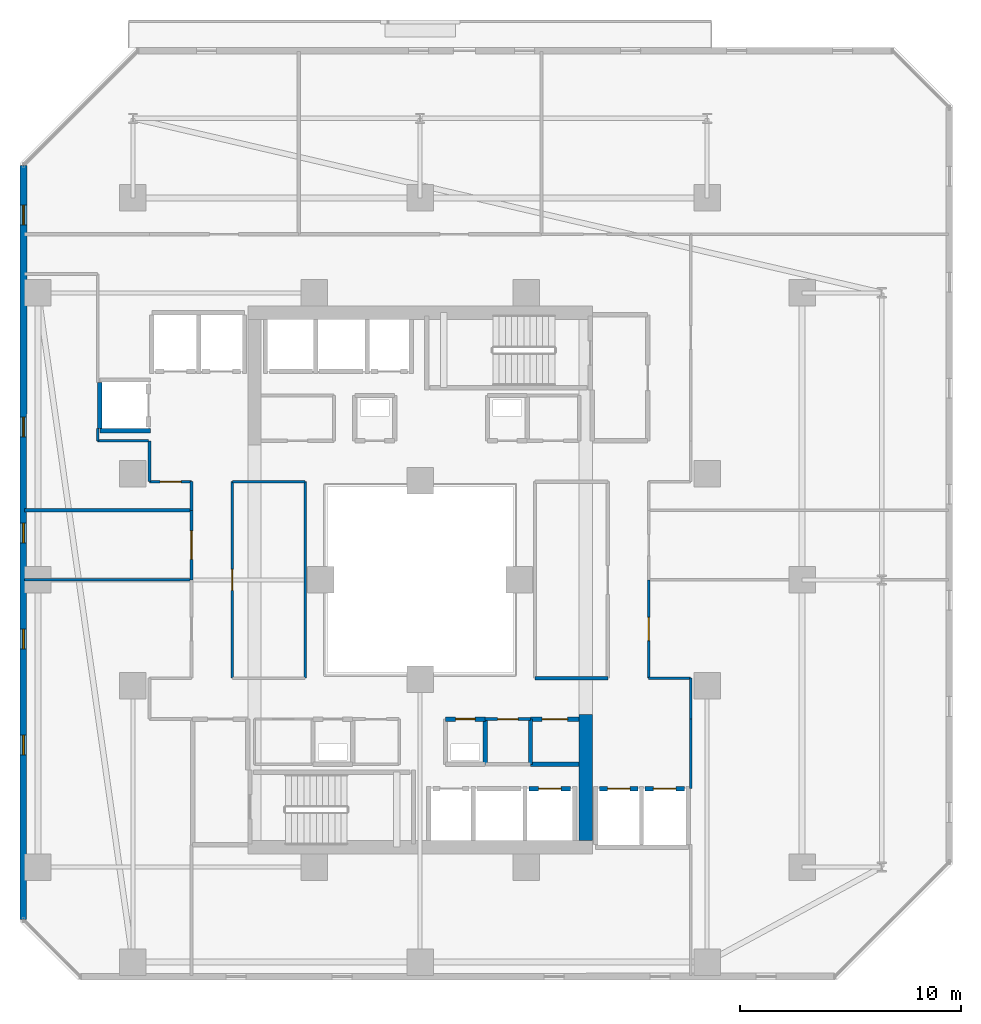
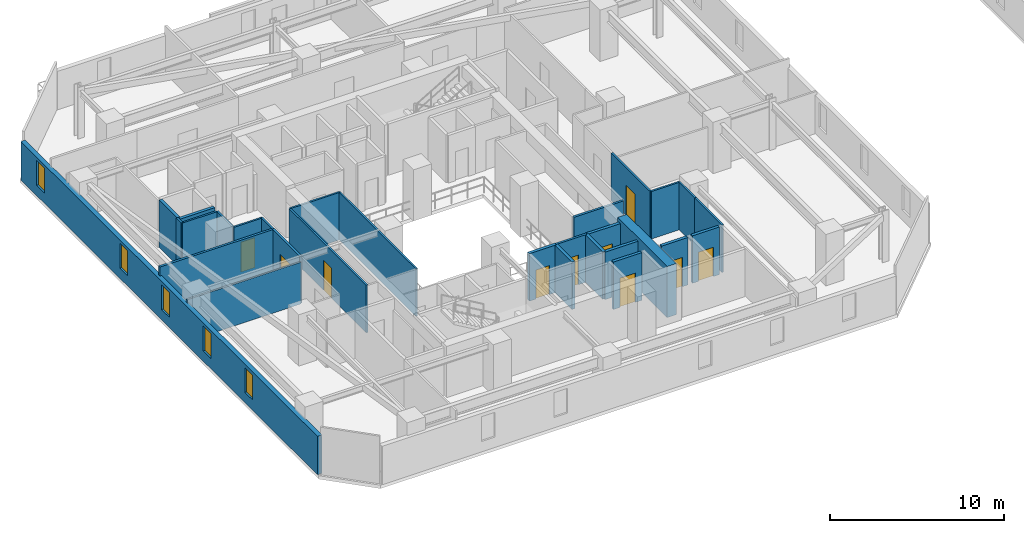
# One storey, part 17 of 31: 29 walls, 10 doors, 5 windows, 15 openings.
"""IFC4 building model written with IfcOpenShell, lengths in metres."""

from ifc_helpers import new_model, si_unit, direction, frame, frame_2d, origin, place, context, subcontext, project, spatial, rectangle, extrude, material, layer, layer_set, type_object, element, fill, save


model = new_model("IFC4")

# Units and contexts
model_context = context("Model", 3, precision=1e-05, world=origin(), true_north=direction((0.0, 1.0)))
body_context = subcontext(model_context, "Body", "Model", "MODEL_VIEW")
ifc_project = project(units=[si_unit("LENGTHUNIT", "METRE"), si_unit("AREAUNIT", "SQUARE_METRE"), si_unit("VOLUMEUNIT", "CUBIC_METRE"), si_unit("PLANEANGLEUNIT", "RADIAN"), si_unit("MASSUNIT", "GRAM", prefix="KILO")], contexts=[model_context])

# Site, building, storey
site_placement = place(None, origin())
site = spatial("IfcSite", under=ifc_project, at=site_placement, CompositionType="ELEMENT")
building_placement = place(site_placement, origin())
building = spatial("IfcBuilding", under=site, at=building_placement, Name="Thornwick Lancets Civic Towers", CompositionType="ELEMENT")
storey_placement = place(building_placement, frame((0.0, 0.0, 87.300048828125)))
storey = spatial("IfcBuildingStorey", under=building, at=storey_placement, Name="L22", CompositionType="ELEMENT", Elevation=87.300048828125)

# Wall, opening, door
ifc_material_1 = material(Name="Concrete blockwork C40/50", Category="masonry")
ifc_layer_1 = layer(ifc_material_1, 0.199951171875, Name="Concrete blockwork C40/50")
ifc_layer_set_1 = layer_set([ifc_layer_1], Name="Concrete blockwork C40/50")
wall_type_1 = type_object("IfcWallType", Name="WALL_COMP_200", PredefinedType="STANDARD", material=ifc_layer_set_1)
wall_1_placement = place(storey_placement, frame((30.429931640625, 17.550048828125, 0.0), z_axis=(0.0, 0.0, 1.0), x_axis=(1.0, 0.0, 0.0)))
wall_1 = element("IfcWall", 1, at=wall_1_placement, inside=storey, type_object=wall_type_1, Name="L22 Hoistway Front Wall PL-AL1", PredefinedType="STANDARD", context=body_context, shape_type="SweptSolid", body=[
    extrude(rectangle(XDim=1.89013671875, YDim=0.199951171875, at=frame_2d((0.945068359375, 0.0))), origin(), (0.0, 0.0, 1.0), 3.33984375),
])
opening_1_placement = place(wall_1_placement, frame((0.43505859375, 0.0, 0.0)))
opening_1 = element("IfcOpeningElement", 2, at=opening_1_placement, cuts=wall_1, Name="Opening LD-PL-AL1", PredefinedType="OPENING", context=body_context, shape_type="SweptSolid", body=[
    extrude(rectangle(XDim=1.02001953125, YDim=2.06005859375, at=frame_2d((0.510009765625, 1.030029296875))), frame((0.0, 0.10986328125, 0.0), z_axis=(0.0, -1.0, 0.0), x_axis=(1.0, 0.0, 0.0)), (0.0, 0.0, 1.0), 0.219970703125),
])
ifc_material_2 = material(Name="Brushed bronze stainless steel", Category="steel")
door_type_1 = type_object("IfcDoorType", Name="DOOR_LIFT_SLIDE", OperationType="SLIDING_TO_LEFT", PredefinedType="DOOR", material=ifc_material_2)
door_1_placement = place(opening_1_placement, origin())
door_1 = element("IfcDoor", 3, at=door_1_placement, inside=storey, type_object=door_type_1, Name="L22 Sliding Lift Landing Door LD-PL-AL1", OperationType="SLIDING_TO_LEFT", OverallHeight=2.06005859375, OverallWidth=1.02001953125, PredefinedType="DOOR", context=body_context, shape_type="SweptSolid", body=[
    extrude(rectangle(XDim=1.02001953125, YDim=2.06005859375, at=frame_2d((0.510009765625, 1.030029296875))), frame((0.0, 0.02490234375, 0.0), z_axis=(0.0, -1.0, 0.0), x_axis=(1.0, 0.0, 0.0)), (0.0, 0.0, 1.0), 0.050048828125),
])
fill(opening_1, door_1)

wall_2_placement = place(storey_placement, frame((33.6298828125, 17.550048828125, 0.0), z_axis=(0.0, 0.0, 1.0), x_axis=(1.0, 0.0, 0.0)))
wall_2 = element("IfcWall", 4, at=wall_2_placement, inside=storey, type_object=wall_type_1, Name="L22 Hoistway Front Wall PL-AL2", PredefinedType="STANDARD", context=body_context, shape_type="SweptSolid", body=[
    extrude(rectangle(XDim=1.740234375, YDim=0.199951171875, at=frame_2d((0.8701171875, 0.0))), origin(), (0.0, 0.0, 1.0), 3.33984375),
])
opening_2_placement = place(wall_2_placement, frame((0.360107421875, 0.0, 0.0)))
opening_2 = element("IfcOpeningElement", 5, at=opening_2_placement, cuts=wall_2, Name="Opening LD-PL-AL2", PredefinedType="OPENING", context=body_context, shape_type="SweptSolid", body=[
    extrude(rectangle(XDim=1.02001953125, YDim=2.06005859375, at=frame_2d((0.510009765625, 1.030029296875))), frame((0.0, 0.10986328125, 0.0), z_axis=(0.0, -1.0, 0.0), x_axis=(1.0, 0.0, 0.0)), (0.0, 0.0, 1.0), 0.219970703125),
])
door_2_placement = place(opening_2_placement, origin())
door_2 = element("IfcDoor", 6, at=door_2_placement, inside=storey, type_object=door_type_1, Name="L22 Sliding Lift Landing Door LD-PL-AL2", OperationType="SLIDING_TO_LEFT", OverallHeight=2.06005859375, OverallWidth=1.02001953125, PredefinedType="DOOR", context=body_context, shape_type="SweptSolid", body=[
    extrude(rectangle(XDim=1.02001953125, YDim=2.06005859375, at=frame_2d((0.510009765625, 1.030029296875))), frame((0.0, 0.02490234375, 0.0), z_axis=(0.0, -1.0, 0.0), x_axis=(1.0, 0.0, 0.0)), (0.0, 0.0, 1.0), 0.050048828125),
])
fill(opening_2, door_2)

wall_3_placement = place(storey_placement, frame((35.679931640625, 17.550048828125, 0.0), z_axis=(0.0, 0.0, 1.0), x_axis=(1.0, 0.0, 0.0)))
wall_3 = element("IfcWall", 7, at=wall_3_placement, inside=storey, type_object=wall_type_1, Name="L22 Hoistway Front Wall PL-AL3", PredefinedType="STANDARD", context=body_context, shape_type="SweptSolid", body=[
    extrude(rectangle(XDim=1.7900390625, YDim=0.199951171875, at=frame_2d((0.89501953125, 0.0))), origin(), (0.0, 0.0, 1.0), 3.33984375),
])
opening_3_placement = place(wall_3_placement, frame((0.385009765625, 0.0, 0.0)))
opening_3 = element("IfcOpeningElement", 8, at=opening_3_placement, cuts=wall_3, Name="Opening LD-PL-AL3", PredefinedType="OPENING", context=body_context, shape_type="SweptSolid", body=[
    extrude(rectangle(XDim=1.02001953125, YDim=2.06005859375, at=frame_2d((0.510009765625, 1.030029296875))), frame((0.0, 0.10986328125, 0.0), z_axis=(0.0, -1.0, 0.0), x_axis=(1.0, 0.0, 0.0)), (0.0, 0.0, 1.0), 0.219970703125),
])
door_3_placement = place(opening_3_placement, origin())
door_3 = element("IfcDoor", 9, at=door_3_placement, inside=storey, type_object=door_type_1, Name="L22 Sliding Lift Landing Door LD-PL-AL3", OperationType="SLIDING_TO_LEFT", OverallHeight=2.06005859375, OverallWidth=1.02001953125, PredefinedType="DOOR", context=body_context, shape_type="SweptSolid", body=[
    extrude(rectangle(XDim=1.02001953125, YDim=2.06005859375, at=frame_2d((0.510009765625, 1.030029296875))), frame((0.0, 0.02490234375, 0.0), z_axis=(0.0, -1.0, 0.0), x_axis=(1.0, 0.0, 0.0)), (0.0, 0.0, 1.0), 0.050048828125),
])
fill(opening_3, door_3)

# Walls
wall_4_placement = place(storey_placement, frame((11.001953125, 33.75, 0.0), z_axis=(0.0, 0.0, 1.0), x_axis=(1.0, 0.0, 0.0)))
element("IfcWall", 10, at=wall_4_placement, inside=storey, type_object=wall_type_1, Name="L22 Hoistway Shaft Wall PL-AM3 S", PredefinedType="STANDARD", context=body_context, shape_type="SweptSolid", body=[
    extrude(rectangle(XDim=2.296142578125, YDim=0.199951171875, at=frame_2d((1.14794921875, 0.0))), origin(), (0.0, 0.0, 1.0), 3.33984375),
])
wall_5_placement = place(storey_placement, frame((11.0, 33.862060546875, 0.0), z_axis=(0.0, 0.0, 1.0), x_axis=(0.0, 1.0, 0.0)))
element("IfcWall", 11, at=wall_5_placement, inside=storey, type_object=wall_type_1, Name="L22 Hoistway Shaft Wall PL-AM3 W", PredefinedType="STANDARD", context=body_context, shape_type="SweptSolid", body=[
    extrude(rectangle(XDim=2.075927734375, YDim=0.199951171875, at=frame_2d((1.0380859375, 0.0))), origin(), (0.0, 0.0, 1.0), 3.33984375),
])
wall_6_placement = place(storey_placement, frame((28.449951171875, 18.64990234375, 0.0), z_axis=(0.0, 0.0, 1.0), x_axis=(0.0, 1.0, 0.0)))
element("IfcWall", 12, at=wall_6_placement, inside=storey, type_object=wall_type_1, Name="L22 Partition L22-A-DUCT1 E2", PredefinedType="STANDARD", context=body_context, shape_type="SweptSolid", body=[
    extrude(rectangle(XDim=2.050048828125, YDim=0.199951171875, at=frame_2d((1.02490234375, 0.0))), origin(), (0.0, 0.0, 1.0), 3.33984375),
])

# Wall, opening, door
wall_7_placement = place(storey_placement, frame((28.449951171875, 20.699951171875, 0.0), z_axis=(0.0, 0.0, 1.0), x_axis=(-1.0, 0.0, 0.0)))
wall_7 = element("IfcWall", 13, at=wall_7_placement, inside=storey, type_object=wall_type_1, Name="L22 Partition L22-A-DUCT1 E3", PredefinedType="STANDARD", context=body_context, shape_type="SweptSolid", body=[
    extrude(rectangle(XDim=1.800048828125, YDim=0.199951171875, at=frame_2d((0.89990234375, 0.0))), origin(), (0.0, 0.0, 1.0), 3.33984375),
])
opening_4_placement = place(wall_7_placement, frame((0.4599609375, 0.0, 0.0)))
opening_4 = element("IfcOpeningElement", 14, at=opening_4_placement, cuts=wall_7, Name="Opening D-L22-1009", PredefinedType="OPENING", context=body_context, shape_type="SweptSolid", body=[
    extrude(rectangle(XDim=0.8798828125, YDim=2.0400390625, at=frame_2d((0.43994140625, 1.02001953125))), frame((0.0, 0.10986328125, 0.0), z_axis=(0.0, -1.0, 0.0), x_axis=(1.0, 0.0, 0.0)), (0.0, 0.0, 1.0), 0.219970703125),
])
ifc_material_3 = material(Name="Steel riser access doorset", Category="steel")
door_type_2 = type_object("IfcDoorType", Name="DOOR_RISER_850", OperationType="NOTDEFINED", PredefinedType="DOOR", material=ifc_material_3)
door_4_placement = place(opening_4_placement, origin())
door_4 = element("IfcDoor", 15, at=door_4_placement, inside=storey, type_object=door_type_2, Name="L22 South Service Duct 1 Door", OperationType="SINGLE_SWING_RIGHT", OverallHeight=2.0400390625, OverallWidth=0.8798828125, PredefinedType="DOOR", context=body_context, shape_type="SweptSolid", body=[
    extrude(rectangle(XDim=0.8798828125, YDim=2.0400390625, at=frame_2d((0.43994140625, 1.02001953125))), frame((0.0, 0.02490234375, 0.0), z_axis=(0.0, -1.0, 0.0), x_axis=(1.0, 0.0, 0.0)), (0.0, 0.0, 1.0), 0.050048828125),
])
fill(opening_4, door_4)

# Walls
wall_8_placement = place(storey_placement, frame((32.699951171875, 18.64990234375, 0.0), z_axis=(0.0, 0.0, 1.0), x_axis=(-1.0, 0.0, 0.0)))
element("IfcWall", 16, at=wall_8_placement, inside=storey, type_object=wall_type_1, Name="L22 Partition L22-A-STR2 E2", PredefinedType="STANDARD", context=body_context, shape_type="SweptSolid", body=[
    extrude(rectangle(XDim=2.199951171875, YDim=0.199951171875, at=frame_2d((1.10009765625, 0.0))), origin(), (0.0, 0.0, 1.0), 3.33984375),
])
wall_9_placement = place(storey_placement, frame((30.5, 18.64990234375, 0.0), z_axis=(0.0, 0.0, 1.0), x_axis=(0.0, 1.0, 0.0)))
element("IfcWall", 17, at=wall_9_placement, inside=storey, type_object=wall_type_1, Name="L22 Partition L22-A-STR2 E3", PredefinedType="STANDARD", context=body_context, shape_type="SweptSolid", body=[
    extrude(rectangle(XDim=2.050048828125, YDim=0.199951171875, at=frame_2d((1.02490234375, 0.0))), origin(), (0.0, 0.0, 1.0), 3.33984375),
])

# Wall, opening, door
wall_10_placement = place(storey_placement, frame((30.5, 20.699951171875, 0.0), z_axis=(0.0, 0.0, 1.0), x_axis=(1.0, 0.0, 0.0)))
wall_10 = element("IfcWall", 18, at=wall_10_placement, inside=storey, type_object=wall_type_1, Name="L22 Partition L22-A-STR2 E4", PredefinedType="STANDARD", context=body_context, shape_type="SweptSolid", body=[
    extrude(rectangle(XDim=2.199951171875, YDim=0.199951171875, at=frame_2d((1.10009765625, 0.0))), origin(), (0.0, 0.0, 1.0), 3.33984375),
])
opening_5_placement = place(wall_10_placement, frame((0.52490234375, 0.0, 0.0)))
opening_5 = element("IfcOpeningElement", 19, at=opening_5_placement, cuts=wall_10, Name="Opening D-L22-1016", PredefinedType="OPENING", context=body_context, shape_type="SweptSolid", body=[
    extrude(rectangle(XDim=1.14990234375, YDim=2.10009765625, at=frame_2d((0.574951171875, 1.050048828125))), frame((0.0, 0.10986328125, 0.0), z_axis=(0.0, -1.0, 0.0), x_axis=(1.0, 0.0, 0.0)), (0.0, 0.0, 1.0), 0.219970703125),
])
ifc_material_4 = material(Name="Glazed fire-resisting steel", Category="steel")
door_type_3 = type_object("IfcDoorType", Name="DOOR_LOBBY_FD60", OperationType="NOTDEFINED", PredefinedType="DOOR", material=ifc_material_4)
door_5_placement = place(opening_5_placement, origin())
door_5 = element("IfcDoor", 20, at=door_5_placement, inside=storey, type_object=door_type_3, Name="L22 Tower A Core Supplies Store Door", OperationType="SINGLE_SWING_LEFT", OverallHeight=2.10009765625, OverallWidth=1.14990234375, PredefinedType="DOOR", context=body_context, shape_type="SweptSolid", body=[
    extrude(rectangle(XDim=1.14990234375, YDim=2.10009765625, at=frame_2d((0.574951171875, 1.050048828125))), frame((0.0, 0.02490234375, 0.0), z_axis=(0.0, -1.0, 0.0), x_axis=(1.0, 0.0, 0.0)), (0.0, 0.0, 1.0), 0.050048828125),
])
fill(opening_5, door_5)

# Wall
ifc_material_5 = material(Name="Concrete C60/75", Category="concrete")
ifc_layer_2 = layer(ifc_material_5, 0.60009765625, Name="Concrete C60/75")
ifc_layer_set_2 = layer_set([ifc_layer_2], Name="Concrete C60/75")
wall_type_2 = type_object("IfcWallType", Name="WALL_CORE_600", PredefinedType="SHEAR", material=ifc_layer_set_2)
wall_11_placement = place(storey_placement, frame((33.0, 15.199951171875, 0.0), z_axis=(0.0, 0.0, 1.0), x_axis=(0.0, 1.0, 0.0)))
element("IfcWall", 21, at=wall_11_placement, inside=storey, type_object=wall_type_2, Name="L22 Split Core A1 Shear Wall E", PredefinedType="SHEAR", context=body_context, shape_type="SweptSolid", body=[
    extrude(rectangle(XDim=5.699951171875, YDim=0.60009765625, at=frame_2d((2.85009765625, 0.0))), origin(), (0.0, 0.0, 1.0), 3.599853515625),
])

# Wall, openings, windows
ifc_material_6 = material(Name="Insulated russet terracotta rainscreen on concrete C40/50", Category="masonry")
ifc_layer_3 = layer(ifc_material_6, 0.300048828125, Name="Insulated russet terracotta rainscreen on concrete C40/50")
ifc_layer_set_3 = layer_set([ifc_layer_3], Name="Insulated russet terracotta rainscreen on concrete C40/50")
wall_type_3 = type_object("IfcWallType", Name="WALL_EXT_RUSSET_300", PredefinedType="STANDARD", material=ifc_layer_set_3)
wall_12_placement = place(storey_placement, frame((7.543701171875, 45.773681640625, 0.0), z_axis=(0.0, 0.0, 1.0), x_axis=(-0.000243032466, -0.999999970468, 0.0)))
wall_12 = element("IfcWall", 22, at=wall_12_placement, inside=storey, type_object=wall_type_3, Name="L22 Tower A Terracotta Facade Wall E6", PredefinedType="STANDARD", context=body_context, shape_type="SweptSolid", body=[
    extrude(rectangle(XDim=34.155029296875, YDim=0.300048828125, at=frame_2d((17.07763671875, 0.0))), origin(), (0.0, 0.0, 1.0), 2.699951171875),
])
opening_6_placement = place(wall_12_placement, frame((1.800048828125, 0.0, 0.719970703125)))
opening_6 = element("IfcOpeningElement", 23, at=opening_6_placement, cuts=wall_12, Name="Opening WL-01", PredefinedType="OPENING", context=body_context, shape_type="SweptSolid", body=[
    extrude(rectangle(XDim=0.89990234375, YDim=1.75, at=frame_2d((0.449951171875, 0.875))), frame((0.0, 0.16015625, 0.0), z_axis=(0.0, -1.0, 0.0), x_axis=(1.0, 0.0, 0.0)), (0.0, 0.0, 1.0), 0.320068359375),
])
opening_7_placement = place(wall_12_placement, frame((11.39990234375, 0.0, 0.719970703125)))
opening_7 = element("IfcOpeningElement", 24, at=opening_7_placement, cuts=wall_12, Name="Opening WL-01", PredefinedType="OPENING", context=body_context, shape_type="SweptSolid", body=[
    extrude(rectangle(XDim=0.89990234375, YDim=1.75, at=frame_2d((0.449951171875, 0.875))), frame((0.0, 0.16015625, 0.0), z_axis=(0.0, -1.0, 0.0), x_axis=(1.0, 0.0, 0.0)), (0.0, 0.0, 1.0), 0.320068359375),
])
opening_8_placement = place(wall_12_placement, frame((16.199951171875, 0.0, 0.719970703125)))
opening_8 = element("IfcOpeningElement", 25, at=opening_8_placement, cuts=wall_12, Name="Opening WL-01", PredefinedType="OPENING", context=body_context, shape_type="SweptSolid", body=[
    extrude(rectangle(XDim=0.89990234375, YDim=1.75, at=frame_2d((0.449951171875, 0.875))), frame((0.0, 0.16015625, 0.0), z_axis=(0.0, -1.0, 0.0), x_axis=(1.0, 0.0, 0.0)), (0.0, 0.0, 1.0), 0.320068359375),
])
opening_9_placement = place(wall_12_placement, frame((21.0, 0.0, 0.719970703125)))
opening_9 = element("IfcOpeningElement", 26, at=opening_9_placement, cuts=wall_12, Name="Opening WL-01", PredefinedType="OPENING", context=body_context, shape_type="SweptSolid", body=[
    extrude(rectangle(XDim=0.89990234375, YDim=1.75, at=frame_2d((0.449951171875, 0.875))), frame((0.0, 0.16015625, 0.0), z_axis=(0.0, -1.0, 0.0), x_axis=(1.0, 0.0, 0.0)), (0.0, 0.0, 1.0), 0.320068359375),
])
opening_10_placement = place(wall_12_placement, frame((25.800048828125, 0.0, 0.719970703125)))
opening_10 = element("IfcOpeningElement", 27, at=opening_10_placement, cuts=wall_12, Name="Opening WL-01", PredefinedType="OPENING", context=body_context, shape_type="SweptSolid", body=[
    extrude(rectangle(XDim=0.89990234375, YDim=1.75, at=frame_2d((0.449951171875, 0.875))), frame((0.0, 0.16015625, 0.0), z_axis=(0.0, -1.0, 0.0), x_axis=(1.0, 0.0, 0.0)), (0.0, 0.0, 1.0), 0.320068359375),
])
ifc_material_7 = material(Name="Clear low-e double glazing in bronze frame", Category="glass")
window_type = type_object("IfcWindowType", Name="WIN_LANCET_900", PartitioningType="SINGLE_PANEL", PredefinedType="WINDOW", material=ifc_material_7)
window_1_placement = place(opening_6_placement, origin())
window_1 = element("IfcWindow", 28, at=window_1_placement, inside=storey, type_object=window_type, Name="L22 Tower A Staggered Lancet Window E6-1", OverallHeight=1.75, OverallWidth=0.89990234375, PartitioningType="SINGLE_PANEL", PredefinedType="WINDOW", context=body_context, shape_type="SweptSolid", body=[
    extrude(rectangle(XDim=0.89990234375, YDim=1.75, at=frame_2d((0.449951171875, 0.875))), frame((0.0, 0.030029296875, 0.0), z_axis=(0.0, -1.0, 0.0), x_axis=(1.0, 0.0, 0.0)), (0.0, 0.0, 1.0), 0.06005859375),
])
fill(opening_6, window_1)
window_2_placement = place(opening_7_placement, origin())
window_2 = element("IfcWindow", 29, at=window_2_placement, inside=storey, type_object=window_type, Name="L22 Tower A Staggered Lancet Window E6-2", OverallHeight=1.75, OverallWidth=0.89990234375, PartitioningType="SINGLE_PANEL", PredefinedType="WINDOW", context=body_context, shape_type="SweptSolid", body=[
    extrude(rectangle(XDim=0.89990234375, YDim=1.75, at=frame_2d((0.449951171875, 0.875))), frame((0.0, 0.030029296875, 0.0), z_axis=(0.0, -1.0, 0.0), x_axis=(1.0, 0.0, 0.0)), (0.0, 0.0, 1.0), 0.06005859375),
])
fill(opening_7, window_2)
window_3_placement = place(opening_8_placement, origin())
window_3 = element("IfcWindow", 30, at=window_3_placement, inside=storey, type_object=window_type, Name="L22 Tower A Staggered Lancet Window E6-3", OverallHeight=1.75, OverallWidth=0.89990234375, PartitioningType="SINGLE_PANEL", PredefinedType="WINDOW", context=body_context, shape_type="SweptSolid", body=[
    extrude(rectangle(XDim=0.89990234375, YDim=1.75, at=frame_2d((0.449951171875, 0.875))), frame((0.0, 0.030029296875, 0.0), z_axis=(0.0, -1.0, 0.0), x_axis=(1.0, 0.0, 0.0)), (0.0, 0.0, 1.0), 0.06005859375),
])
fill(opening_8, window_3)
window_4_placement = place(opening_9_placement, origin())
window_4 = element("IfcWindow", 31, at=window_4_placement, inside=storey, type_object=window_type, Name="L22 Tower A Staggered Lancet Window E6-4", OverallHeight=1.75, OverallWidth=0.89990234375, PartitioningType="SINGLE_PANEL", PredefinedType="WINDOW", context=body_context, shape_type="SweptSolid", body=[
    extrude(rectangle(XDim=0.89990234375, YDim=1.75, at=frame_2d((0.449951171875, 0.875))), frame((0.0, 0.030029296875, 0.0), z_axis=(0.0, -1.0, 0.0), x_axis=(1.0, 0.0, 0.0)), (0.0, 0.0, 1.0), 0.06005859375),
])
fill(opening_9, window_4)
window_5_placement = place(opening_10_placement, origin())
window_5 = element("IfcWindow", 32, at=window_5_placement, inside=storey, type_object=window_type, Name="L22 Tower A Staggered Lancet Window E6-5", OverallHeight=1.75, OverallWidth=0.89990234375, PartitioningType="SINGLE_PANEL", PredefinedType="WINDOW", context=body_context, shape_type="SweptSolid", body=[
    extrude(rectangle(XDim=0.89990234375, YDim=1.75, at=frame_2d((0.449951171875, 0.875))), frame((0.0, 0.030029296875, 0.0), z_axis=(0.0, -1.0, 0.0), x_axis=(1.0, 0.0, 0.0)), (0.0, 0.0, 1.0), 0.06005859375),
])
fill(opening_10, window_5)

# Walls
ifc_material_8 = material(Name="Acoustic gypsum board partition")
ifc_layer_4 = layer(ifc_material_8, 0.1201171875, Name="Acoustic gypsum board partition")
ifc_layer_set_4 = layer_set([ifc_layer_4], Name="Acoustic gypsum board partition")
wall_type_4 = type_object("IfcWallType", Name="WALL_PART_120", PredefinedType="PARTITIONING", material=ifc_layer_set_4)
wall_13_placement = place(storey_placement, frame((7.580078125, 27.0, 0.0), z_axis=(0.0, 0.0, 1.0), x_axis=(1.0, 0.0, 0.0)))
element("IfcWall", 33, at=wall_13_placement, inside=storey, type_object=wall_type_4, Name="L22 Partition L22-A-W1 E2", PredefinedType="PARTITIONING", context=body_context, shape_type="SweptSolid", body=[
    extrude(rectangle(XDim=7.56982421875, YDim=0.1201171875, at=frame_2d((3.784912109375, 0.0))), origin(), (0.0, 0.0, 1.0), 2.93212890625),
])
wall_14_placement = place(storey_placement, frame((10.89990234375, 33.300048828125, 0.0), z_axis=(0.0, 0.0, 1.0), x_axis=(1.0, 0.0, 0.0)))
element("IfcWall", 34, at=wall_14_placement, inside=storey, type_object=wall_type_4, Name="L22 Partition L22-A-W3 E1", PredefinedType="PARTITIONING", context=body_context, shape_type="SweptSolid", body=[
    extrude(rectangle(XDim=2.300048828125, YDim=0.1201171875, at=frame_2d((1.14990234375, 0.0))), origin(), (0.0, 0.0, 1.0), 3.33984375),
])
wall_15_placement = place(storey_placement, frame((13.25, 33.300048828125, 0.0), z_axis=(0.0, 0.0, 1.0), x_axis=(0.0, -1.0, 0.0)))
element("IfcWall", 35, at=wall_15_placement, inside=storey, type_object=wall_type_4, Name="L22 Partition L22-A-W3 E3", PredefinedType="PARTITIONING", context=body_context, shape_type="SweptSolid", body=[
    extrude(rectangle(XDim=1.85009765625, YDim=0.1201171875, at=frame_2d((0.925048828125, 0.0))), origin(), (0.0, 0.0, 1.0), 3.33984375),
])

# Wall, opening, door
wall_16_placement = place(storey_placement, frame((13.25, 31.449951171875, 0.0), z_axis=(0.0, 0.0, 1.0), x_axis=(1.0, 0.0, 0.0)))
wall_16 = element("IfcWall", 36, at=wall_16_placement, inside=storey, type_object=wall_type_4, Name="L22 Partition L22-A-W3 E4", PredefinedType="PARTITIONING", context=body_context, shape_type="SweptSolid", body=[
    extrude(rectangle(XDim=1.89990234375, YDim=0.1201171875, at=frame_2d((0.949951171875, 0.0))), origin(), (0.0, 0.0, 1.0), 3.33984375),
])
opening_11_placement = place(wall_16_placement, frame((0.47509765625, 0.0, 0.0)))
opening_11 = element("IfcOpeningElement", 37, at=opening_11_placement, cuts=wall_16, Name="Opening D-L22-1033", PredefinedType="OPENING", context=body_context, shape_type="SweptSolid", body=[
    extrude(rectangle(XDim=0.949951171875, YDim=2.10009765625, at=frame_2d((0.47509765625, 1.050048828125))), frame((0.0, 0.070068359375, 0.0), z_axis=(0.0, -1.0, 0.0), x_axis=(1.0, 0.0, 0.0)), (0.0, 0.0, 1.0), 0.14013671875),
])
ifc_material_9 = material(Name="European oak acoustic doorset")
door_type_4 = type_object("IfcDoorType", Name="DOOR_OFFICE_950", OperationType="NOTDEFINED", PredefinedType="DOOR", material=ifc_material_9)
door_6_placement = place(opening_11_placement, origin())
door_6 = element("IfcDoor", 38, at=door_6_placement, inside=storey, type_object=door_type_4, Name="L22 Tower A Staff Tea Pantry and Lounge Door", OperationType="SINGLE_SWING_RIGHT", OverallHeight=2.10009765625, OverallWidth=0.949951171875, PredefinedType="DOOR", context=body_context, shape_type="SweptSolid", body=[
    extrude(rectangle(XDim=0.949951171875, YDim=2.10009765625, at=frame_2d((0.47509765625, 1.050048828125))), frame((0.0, 0.02490234375, 0.0), z_axis=(0.0, -1.0, 0.0), x_axis=(1.0, 0.0, 0.0)), (0.0, 0.0, 1.0), 0.050048828125),
])
fill(opening_11, door_6)

# Walls
wall_17_placement = place(storey_placement, frame((15.14990234375, 31.449951171875, 0.0), z_axis=(0.0, 0.0, 1.0), x_axis=(0.0, -1.0, 0.0)))
element("IfcWall", 39, at=wall_17_placement, inside=storey, type_object=wall_type_4, Name="L22 Partition L22-A-W3 E5", PredefinedType="PARTITIONING", context=body_context, shape_type="SweptSolid", body=[
    extrude(rectangle(XDim=1.300048828125, YDim=0.1201171875, at=frame_2d((0.64990234375, 0.0))), origin(), (0.0, 0.0, 1.0), 3.33984375),
])
wall_18_placement = place(storey_placement, frame((10.89990234375, 33.862060546875, 0.0), z_axis=(0.0, 0.0, 1.0), x_axis=(0.0, -1.0, 0.0)))
element("IfcWall", 40, at=wall_18_placement, inside=storey, type_object=wall_type_4, Name="L22 Partition L22-A-W3 E9", PredefinedType="PARTITIONING", context=body_context, shape_type="SweptSolid", body=[
    extrude(rectangle(XDim=0.56201171875, YDim=0.1201171875, at=frame_2d((0.281005859375, 0.0))), origin(), (0.0, 0.0, 1.0), 3.33984375),
])
wall_19_placement = place(storey_placement, frame((37.75, 17.550048828125, 0.0), z_axis=(0.0, 0.0, 1.0), x_axis=(0.0, 1.0, 0.0)))
element("IfcWall", 41, at=wall_19_placement, inside=storey, type_object=wall_type_4, Name="L22 Partition L22-A-E1 E1", PredefinedType="PARTITIONING", context=body_context, shape_type="SweptSolid", body=[
    extrude(rectangle(XDim=3.14990234375, YDim=0.1201171875, at=frame_2d((1.574951171875, 0.0))), origin(), (0.0, 0.0, 1.0), 3.33984375),
])
wall_20_placement = place(storey_placement, frame((37.75, 20.699951171875, 0.0), z_axis=(0.0, 0.0, 1.0), x_axis=(0.0, 1.0, 0.0)))
element("IfcWall", 42, at=wall_20_placement, inside=storey, type_object=wall_type_4, Name="L22 Partition L22-A-E1 E2", PredefinedType="PARTITIONING", context=body_context, shape_type="SweptSolid", body=[
    extrude(rectangle(XDim=1.85009765625, YDim=0.1201171875, at=frame_2d((0.925048828125, 0.0))), origin(), (0.0, 0.0, 1.0), 3.33984375),
])
wall_21_placement = place(storey_placement, frame((37.75, 22.550048828125, 0.0), z_axis=(0.0, 0.0, 1.0), x_axis=(-1.0, 0.0, 0.0)))
element("IfcWall", 43, at=wall_21_placement, inside=storey, type_object=wall_type_4, Name="L22 Partition L22-A-E1 E3", PredefinedType="PARTITIONING", context=body_context, shape_type="SweptSolid", body=[
    extrude(rectangle(XDim=1.89990234375, YDim=0.1201171875, at=frame_2d((0.949951171875, 0.0))), origin(), (0.0, 0.0, 1.0), 3.33984375),
])

# Wall, opening, door
wall_22_placement = place(storey_placement, frame((35.85009765625, 22.550048828125, 0.0), z_axis=(0.0, 0.0, 1.0), x_axis=(0.0, 1.0, 0.0)))
wall_22 = element("IfcWall", 44, at=wall_22_placement, inside=storey, type_object=wall_type_4, Name="L22 Partition L22-A-E1 E4", PredefinedType="PARTITIONING", context=body_context, shape_type="SweptSolid", body=[
    extrude(rectangle(XDim=4.449951171875, YDim=0.1201171875, at=frame_2d((2.22509765625, 0.0))), origin(), (0.0, 0.0, 1.0), 3.33984375),
])
opening_12_placement = place(wall_22_placement, frame((1.699951171875, 0.0, 0.0)))
opening_12 = element("IfcOpeningElement", 45, at=opening_12_placement, cuts=wall_22, Name="Opening D-L22-1034", PredefinedType="OPENING", context=body_context, shape_type="SweptSolid", body=[
    extrude(rectangle(XDim=1.050048828125, YDim=2.10009765625, at=frame_2d((0.52490234375, 1.050048828125))), frame((0.0, 0.070068359375, 0.0), z_axis=(0.0, -1.0, 0.0), x_axis=(1.0, 0.0, 0.0)), (0.0, 0.0, 1.0), 0.14013671875),
])
ifc_material_10 = material(Name="Glazed European oak executive doorset")
door_type_5 = type_object("IfcDoorType", Name="DOOR_OFFICE_1050", OperationType="NOTDEFINED", PredefinedType="DOOR", material=ifc_material_10)
door_7_placement = place(opening_12_placement, origin())
door_7 = element("IfcDoor", 46, at=door_7_placement, inside=storey, type_object=door_type_5, Name="L22 Tower A Secretariat Open Office E1 Door", OperationType="SINGLE_SWING_LEFT", OverallHeight=2.10009765625, OverallWidth=1.050048828125, PredefinedType="DOOR", context=body_context, shape_type="SweptSolid", body=[
    extrude(rectangle(XDim=1.050048828125, YDim=2.10009765625, at=frame_2d((0.52490234375, 1.050048828125))), frame((0.0, 0.02490234375, 0.0), z_axis=(0.0, -1.0, 0.0), x_axis=(1.0, 0.0, 0.0)), (0.0, 0.0, 1.0), 0.050048828125),
])
fill(opening_12, door_7)

wall_23_placement = place(storey_placement, frame((17.0, 22.550048828125, 0.0), z_axis=(0.0, 0.0, 1.0), x_axis=(0.0, 1.0, 0.0)))
wall_23 = element("IfcWall", 47, at=wall_23_placement, inside=storey, type_object=wall_type_4, Name="L22 Partition L22-A-ATR-W E1", PredefinedType="PARTITIONING", context=body_context, shape_type="SweptSolid", body=[
    extrude(rectangle(XDim=8.89990234375, YDim=0.1201171875, at=frame_2d((4.449951171875, 0.0))), origin(), (0.0, 0.0, 1.0), 3.33984375),
])
opening_13_placement = place(wall_23_placement, frame((3.97509765625, 0.0, 0.0)))
opening_13 = element("IfcOpeningElement", 48, at=opening_13_placement, cuts=wall_23, Name="Opening D-L22-1038", PredefinedType="OPENING", context=body_context, shape_type="SweptSolid", body=[
    extrude(rectangle(XDim=0.949951171875, YDim=2.10009765625, at=frame_2d((0.47509765625, 1.050048828125))), frame((0.0, 0.070068359375, 0.0), z_axis=(0.0, -1.0, 0.0), x_axis=(1.0, 0.0, 0.0)), (0.0, 0.0, 1.0), 0.14013671875),
])
door_8_placement = place(opening_13_placement, origin())
door_8 = element("IfcDoor", 49, at=door_8_placement, inside=storey, type_object=door_type_4, Name="L22 Tower A West Atrium Study Lounge Door", OperationType="SINGLE_SWING_LEFT", OverallHeight=2.10009765625, OverallWidth=0.949951171875, PredefinedType="DOOR", context=body_context, shape_type="SweptSolid", body=[
    extrude(rectangle(XDim=0.949951171875, YDim=2.10009765625, at=frame_2d((0.47509765625, 1.050048828125))), frame((0.0, 0.02490234375, 0.0), z_axis=(0.0, -1.0, 0.0), x_axis=(1.0, 0.0, 0.0)), (0.0, 0.0, 1.0), 0.050048828125),
])
fill(opening_13, door_8)

# Walls
wall_24_placement = place(storey_placement, frame((17.0, 31.449951171875, 0.0), z_axis=(0.0, 0.0, 1.0), x_axis=(1.0, 0.0, 0.0)))
element("IfcWall", 50, at=wall_24_placement, inside=storey, type_object=wall_type_4, Name="L22 Partition L22-A-ATR-W E2", PredefinedType="PARTITIONING", context=body_context, shape_type="SweptSolid", body=[
    extrude(rectangle(XDim=3.300048828125, YDim=0.1201171875, at=frame_2d((1.64990234375, 0.0))), origin(), (0.0, 0.0, 1.0), 3.33984375),
])
wall_25_placement = place(storey_placement, frame((20.300048828125, 31.449951171875, 0.0), z_axis=(0.0, 0.0, 1.0), x_axis=(0.0, -1.0, 0.0)))
element("IfcWall", 51, at=wall_25_placement, inside=storey, type_object=wall_type_4, Name="L22 Partition L22-A-ATR-W E3", PredefinedType="PARTITIONING", context=body_context, shape_type="SweptSolid", body=[
    extrude(rectangle(XDim=8.89990234375, YDim=0.1201171875, at=frame_2d((4.449951171875, 0.0))), origin(), (0.0, 0.0, 1.0), 3.33984375),
])

# Wall, opening, door
ifc_material_11 = material(Name="Twin-stud acoustic gypsum board")
ifc_layer_5 = layer(ifc_material_11, 0.14990234375, Name="Twin-stud acoustic gypsum board")
ifc_layer_set_5 = layer_set([ifc_layer_5], Name="Twin-stud acoustic gypsum board")
wall_type_5 = type_object("IfcWallType", Name="WALL_PART_150", PredefinedType="PARTITIONING", material=ifc_layer_set_5)
wall_26_placement = place(storey_placement, frame((28.449951171875, 20.699951171875, 0.0), z_axis=(0.0, 0.0, 1.0), x_axis=(1.0, 0.0, 0.0)))
wall_26 = element("IfcWall", 52, at=wall_26_placement, inside=storey, type_object=wall_type_5, Name="L22 Partition L22-A-AWC E4", PredefinedType="PARTITIONING", context=body_context, shape_type="SweptSolid", body=[
    extrude(rectangle(XDim=2.050048828125, YDim=0.14990234375, at=frame_2d((1.02490234375, 0.0))), origin(), (0.0, 0.0, 1.0), 3.33984375),
])
opening_14_placement = place(wall_26_placement, frame((0.56494140625, 0.0, 0.0)))
opening_14 = element("IfcOpeningElement", 53, at=opening_14_placement, cuts=wall_26, Name="Opening D-L22-1015", PredefinedType="OPENING", context=body_context, shape_type="SweptSolid", body=[
    extrude(rectangle(XDim=0.919921875, YDim=2.080078125, at=frame_2d((0.4599609375, 1.0400390625))), frame((0.0, 0.0849609375, 0.0), z_axis=(0.0, -1.0, 0.0), x_axis=(1.0, 0.0, 0.0)), (0.0, 0.0, 1.0), 0.169921875),
])
ifc_material_12 = material(Name="Moisture-resistant oak doorset")
door_type_6 = type_object("IfcDoorType", Name="DOOR_WC_900", OperationType="NOTDEFINED", PredefinedType="DOOR", material=ifc_material_12)
door_9_placement = place(opening_14_placement, origin())
door_9 = element("IfcDoor", 54, at=door_9_placement, inside=storey, type_object=door_type_6, Name="L22 Tower A Accessible WC Door", OperationType="SINGLE_SWING_RIGHT", OverallHeight=2.080078125, OverallWidth=0.919921875, PredefinedType="DOOR", context=body_context, shape_type="SweptSolid", body=[
    extrude(rectangle(XDim=0.919921875, YDim=2.080078125, at=frame_2d((0.4599609375, 1.0400390625))), frame((0.0, 0.02490234375, 0.0), z_axis=(0.0, -1.0, 0.0), x_axis=(1.0, 0.0, 0.0)), (0.0, 0.0, 1.0), 0.050048828125),
])
fill(opening_14, door_9)

# Wall
wall_27_placement = place(storey_placement, frame((7.580078125, 30.14990234375, 0.0), z_axis=(0.0, 0.0, 1.0), x_axis=(1.0, 0.0, 0.0)))
element("IfcWall", 55, at=wall_27_placement, inside=storey, type_object=wall_type_5, Name="L22 Partition L22-A-W2 E3", PredefinedType="PARTITIONING", context=body_context, shape_type="SweptSolid", body=[
    extrude(rectangle(XDim=7.56982421875, YDim=0.14990234375, at=frame_2d((3.784912109375, 0.0))), origin(), (0.0, 0.0, 1.0), 3.33984375),
])

# Wall, opening, door
wall_28_placement = place(storey_placement, frame((15.14990234375, 30.14990234375, 0.0), z_axis=(0.0, 0.0, 1.0), x_axis=(0.0, -1.0, 0.0)))
wall_28 = element("IfcWall", 56, at=wall_28_placement, inside=storey, type_object=wall_type_5, Name="L22 Partition L22-A-W2 E4", PredefinedType="PARTITIONING", context=body_context, shape_type="SweptSolid", body=[
    extrude(rectangle(XDim=3.14990234375, YDim=0.14990234375, at=frame_2d((1.574951171875, 0.0))), origin(), (0.0, 0.0, 1.0), 3.33984375),
])
opening_15_placement = place(wall_28_placement, frame((0.925048828125, 0.0, 0.0)))
opening_15 = element("IfcOpeningElement", 57, at=opening_15_placement, cuts=wall_28, Name="Opening D-L22-1032", PredefinedType="OPENING", context=body_context, shape_type="SweptSolid", body=[
    extrude(rectangle(XDim=1.300048828125, YDim=2.1201171875, at=frame_2d((0.64990234375, 1.06005859375))), frame((0.0, 0.0849609375, 0.0), z_axis=(0.0, -1.0, 0.0), x_axis=(1.0, 0.0, 0.0)), (0.0, 0.0, 1.0), 0.169921875),
])
ifc_material_13 = material(Name="Acoustic oak leaf-and-a-half doorset")
door_type_7 = type_object("IfcDoorType", Name="DOOR_MEET_1300", OperationType="DOUBLE_DOOR_SINGLE_SWING", PredefinedType="DOOR", material=ifc_material_13)
door_10_placement = place(opening_15_placement, origin())
door_10 = element("IfcDoor", 58, at=door_10_placement, inside=storey, type_object=door_type_7, Name="L22 Tower A Policy Briefing Room W2 Door", OperationType="DOUBLE_DOOR_SINGLE_SWING", OverallHeight=2.1201171875, OverallWidth=1.300048828125, PredefinedType="DOOR", context=body_context, shape_type="SweptSolid", body=[
    extrude(rectangle(XDim=1.300048828125, YDim=2.1201171875, at=frame_2d((0.64990234375, 1.06005859375))), frame((0.0, 0.02490234375, 0.0), z_axis=(0.0, -1.0, 0.0), x_axis=(1.0, 0.0, 0.0)), (0.0, 0.0, 1.0), 0.050048828125),
])
fill(opening_15, door_10)

# Wall
wall_29_placement = place(storey_placement, frame((34.0, 22.550048828125, 0.0), z_axis=(0.0, 0.0, 1.0), x_axis=(-1.0, 0.0, 0.0)))
element("IfcWall", 59, at=wall_29_placement, inside=storey, type_object=wall_type_5, Name="L22 Partition L22-A-ATR-E E4", PredefinedType="PARTITIONING", context=body_context, shape_type="SweptSolid", body=[
    extrude(rectangle(XDim=3.300048828125, YDim=0.14990234375, at=frame_2d((1.64990234375, 0.0))), origin(), (0.0, 0.0, 1.0), 3.33984375),
])

save(model, "model.ifc")
